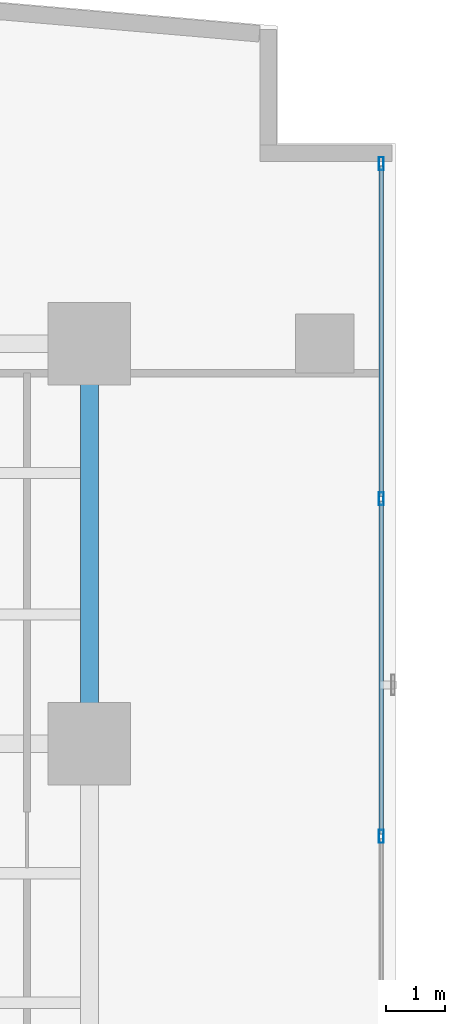
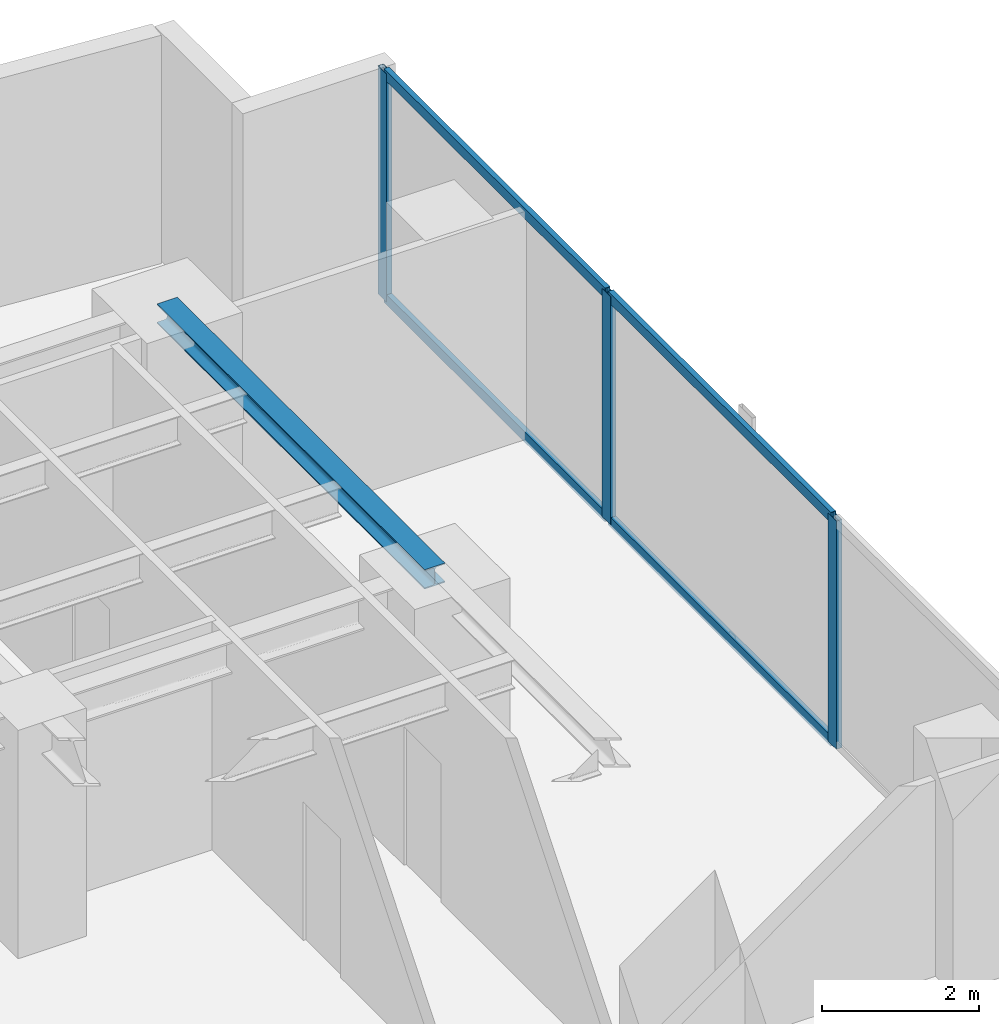
# One storey, part 17 of 24: 7 members, 1 beam, 1 element without a shape of its own.
"""IFC4 building model written with IfcOpenShell, lengths in metres."""

import ifcopenshell
import ifcopenshell.guid

model = None  # the IFC model being written
_history = None  # IfcOwnerHistory: only IFC2X3 demands one
_inside = {}  # id of a spatial element -> (the spatial element, [elements in it])
_under = {}  # id of a project, library or spatial element -> (it, [spatial elements below it])
_declared = {}  # id of a project -> (the project, [libraries it declares])
_typed = {}  # id of a type object -> (the type object, [elements of that type])
_made_of = {}  # id of a material, layer set ... -> (it, [elements and type objects made of it])


def new_model(schema):
    """Start an empty IFC model of exactly this schema.

    Asked for "IFC4X3", IfcOpenShell would pick the latest addendum, in which some entities
    have other attributes; the version numbers below select the first issue.
    IFC2X3 requires an IfcOwnerHistory on every rooted entity: one is made here for all.
    """
    global model, _history
    if schema == "IFC4X3":
        model = ifcopenshell.file(schema_version=(4, 3, 0, 0))
    else:
        model = ifcopenshell.file(schema=schema)
    _inside.clear()
    _under.clear()
    _declared.clear()
    _typed.clear()
    _made_of.clear()
    _history = None
    if model.schema == "IFC2X3":
        org = make("IfcOrganization", Name="unknown")
        user = make(
            "IfcPersonAndOrganization",
            ThePerson=make("IfcPerson", FamilyName="unknown"),
            TheOrganization=org,
        )
        app = make(
            "IfcApplication",
            ApplicationDeveloper=org,
            Version="unknown",
            ApplicationFullName="unknown",
            ApplicationIdentifier="unknown",
        )
        _history = make(
            "IfcOwnerHistory",
            OwningUser=user,
            OwningApplication=app,
            ChangeAction="ADDED",
            CreationDate=0,
        )
    return model


def make(cls, **values):
    """One entity of the class cls with the attributes given. An attribute that is None is left unset."""
    return model.create_entity(
        cls, **{name: value for name, value in values.items() if value is not None}
    )


def rooted(cls, **values):
    """An entity with a GlobalId (a new one), such as an element, a storey or a relation."""
    return make(cls, GlobalId=ifcopenshell.guid.new(), OwnerHistory=_history, **values)


def si_unit(unit_type, name, prefix=None):
    """IfcSIUnit, for example si_unit("LENGTHUNIT", "METRE", prefix="MILLI")."""
    return make("IfcSIUnit", UnitType=unit_type, Prefix=prefix, Name=name)


def assignment(units):
    """IfcUnitAssignment: the units of a project."""
    return None if units is None else make("IfcUnitAssignment", Units=units)


def point(xyz):
    """IfcCartesianPoint."""
    return None if xyz is None else make("IfcCartesianPoint", Coordinates=xyz)


def direction(xyz):
    """IfcDirection."""
    return None if xyz is None else make("IfcDirection", DirectionRatios=xyz)


def frame(location, z_axis=None, x_axis=None):
    """IfcAxis2Placement3D, a coordinate frame: its origin and axes. An axis left out is left unset."""
    return make(
        "IfcAxis2Placement3D",
        Location=point(location),
        Axis=direction(z_axis),
        RefDirection=direction(x_axis),
    )


def frame_2d(location, x_axis=None):
    """IfcAxis2Placement2D, a coordinate frame in the plane: its origin and x axis."""
    return make(
        "IfcAxis2Placement2D", Location=point(location), RefDirection=direction(x_axis)
    )


def origin():
    """The frame at (0, 0, 0) with its axes left unset."""
    return frame((0.0, 0.0, 0.0))


def origin_with_axes():
    """The frame at (0, 0, 0) with the z axis (0, 0, 1) and the x axis (1, 0, 0) written out."""
    return frame((0.0, 0.0, 0.0), z_axis=(0.0, 0.0, 1.0), x_axis=(1.0, 0.0, 0.0))


def origin_2d():
    """The frame at (0, 0) in the plane with its x axis left unset."""
    return frame_2d((0.0, 0.0))


def place(relative_to, where):
    """IfcLocalPlacement: puts the frame where relative to a parent placement (None: the world)."""
    return make(
        "IfcLocalPlacement", PlacementRelTo=relative_to, RelativePlacement=where
    )


def context(
    kind, dimensions, precision=None, world=None, true_north=None, identifier=None
):
    """IfcGeometricRepresentationContext, for example the 3D "Model" context."""
    return make(
        "IfcGeometricRepresentationContext",
        ContextIdentifier=identifier,
        ContextType=kind,
        CoordinateSpaceDimension=dimensions,
        Precision=precision,
        WorldCoordinateSystem=world,
        TrueNorth=true_north,
    )


def subcontext(parent, identifier, kind, view, scale=None):
    """IfcGeometricRepresentationSubContext, for example "Body" below "Model"."""
    return make(
        "IfcGeometricRepresentationSubContext",
        ContextIdentifier=identifier,
        ContextType=kind,
        ParentContext=parent,
        TargetScale=scale,
        TargetView=view,
    )


def project(units=None, contexts=None):
    """IfcProject with its units and contexts."""
    return rooted(
        "IfcProject",
        Name="project",
        RepresentationContexts=contexts,
        UnitsInContext=assignment(units),
    )


def spatial(cls, under=None, at=None, **own):
    """A site, building, storey or space (cls), placed at a placement, below another one or the project."""
    s = rooted(cls, ObjectPlacement=at, **own)
    if under is not None:
        _under.setdefault(under.id(), (under, []))[1].append(s)
    return s


def profile(cls, at=None, kind="AREA", **sizes):
    """A parametric profile (cls). Its sizes go by their IFC names, for example OverallWidth=200.0."""
    return make(cls, ProfileType=kind, Position=at, **sizes)


def hollow_rectangle(**sizes):
    """IfcRectangleHollowProfileDef."""
    return profile("IfcRectangleHollowProfileDef", **sizes)


def i_section(**sizes):
    """IfcIShapeProfileDef."""
    return profile("IfcIShapeProfileDef", **sizes)


def extrude(swept, where, along, depth):
    """IfcExtrudedAreaSolid: the profile swept, set in the frame where, extruded along a direction by depth."""
    return make(
        "IfcExtrudedAreaSolid",
        SweptArea=swept,
        Position=where,
        ExtrudedDirection=direction(along),
        Depth=depth,
    )


def shape(context_of_items, identifier, shape_type, items):
    """IfcShapeRepresentation: the items that make up one representation, for example the "Body"."""
    return make(
        "IfcShapeRepresentation",
        ContextOfItems=context_of_items,
        RepresentationIdentifier=identifier,
        RepresentationType=shape_type,
        Items=items,
    )


def source(mapping_origin, context_of_items, identifier, shape_type, items):
    """IfcRepresentationMap: a shape defined once, which mapped items show again and again."""
    return make(
        "IfcRepresentationMap",
        MappingOrigin=mapping_origin,
        MappedRepresentation=shape(context_of_items, identifier, shape_type, items),
    )


def transform(
    local_origin,
    x_axis=None,
    y_axis=None,
    z_axis=None,
    scale=None,
    scale2=None,
    scale3=None,
    uniform=True,
):
    """IfcCartesianTransformationOperator3D, or its non-uniform kind. x_axis, y_axis, z_axis: its Axis1, 2, 3."""
    if uniform:
        return make(
            "IfcCartesianTransformationOperator3D",
            Axis1=direction(x_axis),
            Axis2=direction(y_axis),
            LocalOrigin=point(local_origin),
            Scale=scale,
            Axis3=direction(z_axis),
        )
    return make(
        "IfcCartesianTransformationOperator3DnonUniform",
        Axis1=direction(x_axis),
        Axis2=direction(y_axis),
        LocalOrigin=point(local_origin),
        Scale=scale,
        Axis3=direction(z_axis),
        Scale2=scale2,
        Scale3=scale3,
    )


def mapped(mapping_source, mapping_target):
    """IfcMappedItem: shows the shape of a source again, moved by a transform."""
    return make(
        "IfcMappedItem", MappingSource=mapping_source, MappingTarget=mapping_target
    )


def material(Name=None, Category=None):
    """IfcMaterial."""
    return make("IfcMaterial", Name=Name, Category=Category)


def layer(
    of_material, thickness, ventilated=None, Name=None, Category=None, Priority=None
):
    """IfcMaterialLayer: one layer of a wall or slab, of a material (None: an air gap)."""
    return make(
        "IfcMaterialLayer",
        Material=of_material,
        LayerThickness=thickness,
        IsVentilated=ventilated,
        Name=Name,
        Category=Category,
        Priority=Priority,
    )


def layer_set(layers, Name=None):
    """IfcMaterialLayerSet."""
    return make("IfcMaterialLayerSet", MaterialLayers=layers, LayerSetName=Name)


def material_profile(
    of_material, cross_section, Name=None, Category=None, Priority=None
):
    """IfcMaterialProfile: a cross section and its material."""
    return make(
        "IfcMaterialProfile",
        Name=Name,
        Material=of_material,
        Profile=cross_section,
        Priority=Priority,
        Category=Category,
    )


def profile_set(profiles, Name=None, composite=None):
    """IfcMaterialProfileSet."""
    return make(
        "IfcMaterialProfileSet",
        Name=Name,
        MaterialProfiles=profiles,
        CompositeProfile=composite,
    )


def made_of(thing, what):
    """Note that an element or type object is made of a material, layer set ...; save() writes the relation."""
    if what is not None:
        _made_of.setdefault(what.id(), (what, []))[1].append(thing)
    return thing


def type_object(cls, material=None, **own):
    """A type object (cls), such as IfcWallType, which elements share."""
    return made_of(rooted(cls, **own), material)


def element(
    cls,
    number,
    at=None,
    inside=None,
    cuts=None,
    type_object=None,
    material=None,
    context=None,
    identifier="Body",
    shape_type=None,
    held_by="IfcProductDefinitionShape",
    body=None,
    shapes=None,
    **own,
):
    """One element of the class cls, such as IfcWall. Its Tag is "e" and its number.

    at: its placement. inside: the storey or other place that contains it. cuts: it is an
    opening in that element (IfcRelVoidsElement). A single representation is given by context,
    identifier, shape_type and body (its items); several are given by shapes. held_by: the class
    of the entity that holds the representations. save() writes the other relations.
    """
    e = rooted(cls, Tag="e%d" % number, ObjectPlacement=at, **own)
    if body is not None:
        shapes = [shape(context, identifier, shape_type, body)]
    if shapes is not None:
        e.Representation = make(held_by, Representations=shapes)
    if inside is not None:
        _inside.setdefault(inside.id(), (inside, []))[1].append(e)
    if cuts is not None:
        rooted(
            "IfcRelVoidsElement", RelatingBuildingElement=cuts, RelatedOpeningElement=e
        )
    if type_object is not None:
        _typed.setdefault(type_object.id(), (type_object, []))[1].append(e)
    return made_of(e, material)


def aggregate(whole, parts):
    """IfcRelAggregates: a whole, such as a stair, and the parts it consists of."""
    return rooted("IfcRelAggregates", RelatingObject=whole, RelatedObjects=parts)


def save(model, path):
    """Write the relations noted so far, then the file.

    IfcRelAggregates (storeys below a building ...), IfcRelContainedInSpatialStructure (elements
    in a storey), IfcRelDefinesByType, IfcRelAssociatesMaterial and IfcRelDeclares: one each for
    every whole, place, type object, material and project.
    """
    for whole, parts in _under.values():
        aggregate(whole, parts)
    for where, things in _inside.values():
        rooted(
            "IfcRelContainedInSpatialStructure",
            RelatedElements=things,
            RelatingStructure=where,
        )
    for kind, things in _typed.values():
        rooted("IfcRelDefinesByType", RelatedObjects=things, RelatingType=kind)
    for what, things in _made_of.values():
        rooted("IfcRelAssociatesMaterial", RelatedObjects=things, RelatingMaterial=what)
    for by, libraries in _declared.values():
        rooted("IfcRelDeclares", RelatingContext=by, RelatedDefinitions=libraries)
    model.write(path)


model = new_model("IFC4")

# Units and contexts
model_context = context("Model", 3, precision=1e-05, world=origin(), true_north=direction((0.0, 1.0)))
body_context = subcontext(model_context, "Body", "Model", "MODEL_VIEW")
ifc_project = project(units=[si_unit("LENGTHUNIT", "METRE"), si_unit("AREAUNIT", "SQUARE_METRE"), si_unit("VOLUMEUNIT", "CUBIC_METRE"), si_unit("PLANEANGLEUNIT", "RADIAN"), si_unit("MASSUNIT", "GRAM", prefix="KILO")], contexts=[model_context])

# Site, building, storey
site_placement = place(None, origin())
site = spatial("IfcSite", under=ifc_project, at=site_placement, CompositionType="ELEMENT")
building_placement = place(site_placement, origin())
building = spatial("IfcBuilding", under=site, at=building_placement, Name="Kolvaren Waterfront Exchange", CompositionType="ELEMENT")
storey_placement = place(building_placement, frame((0.0, 0.0, 91.699951171875)))
storey = spatial("IfcBuildingStorey", under=building, at=storey_placement, Name="L23", CompositionType="ELEMENT", Elevation=91.699951171875)

# Beam
ifc_material_1 = material(Name="Steel S355", Category="steel")
ifc_material_profile_1 = material_profile(ifc_material_1, i_section(OverallWidth=0.300048828125, OverallDepth=0.300048828125, WebThickness=0.010986328125, FlangeThickness=0.01904296875, FilletRadius=0.027099609375, at=origin_2d()), Name="HEB300")
ifc_profile_set_1 = profile_set([ifc_material_profile_1], Name="Steel S355")
beam_type = type_object("IfcBeamType", Name="STR-BM-HEB300", PredefinedType="SPANDREL", material=ifc_profile_set_1)
beam_placement = place(storey_placement, frame((18.800048828125, 37.800048828125, 3.39013671875), z_axis=(0.0, 1.0, 0.0), x_axis=(-1.0, 0.0, 0.0)))
element("IfcBeam", 1, at=beam_placement, inside=storey, type_object=beam_type, Name="L23 north-arm edge beam 3", PredefinedType="SPANDREL", context=body_context, shape_type="SweptSolid", body=[
    extrude(i_section(OverallWidth=0.300048828125, OverallDepth=0.300048828125, WebThickness=0.010986328125, FlangeThickness=0.01904296875, FilletRadius=0.027099609375, at=origin_2d()), origin(), (0.0, 0.0, 1.0), 6.800048828125),
])

# Curtain wall, members
ifc_material_2 = material(Name="Anodised bronze aluminium 6063-T6", Category="aluminium")
ifc_layer = layer(ifc_material_2, 0.219970703125, Name="Anodised bronze aluminium 6063-T6")
ifc_layer_set = layer_set([ifc_layer], Name="Anodised bronze aluminium 6063-T6")
curtain_wall_type = type_object("IfcCurtainWallType", Name="ARC-CW-SYS1", PredefinedType="USERDEFINED", material=ifc_layer_set)
curtain_wall_placement = place(storey_placement, origin())
curtain_wall = element("IfcCurtainWall", 2, at=curtain_wall_placement, inside=storey, type_object=curtain_wall_type, Name="L23 stick curtain wall CW1 (CW-L23-NE)", ObjectType="STICK CURTAIN WALL", PredefinedType="USERDEFINED")
ifc_material_3 = material(Name="Anodised aluminium 6063-T6", Category="aluminium")
ifc_material_profile_2 = material_profile(ifc_material_3, hollow_rectangle(XDim=0.080078125, YDim=0.219970703125, WallThickness=0.0048828125, at=origin_2d()), Name="ALU-MUL-220x80x5")
ifc_profile_set_2 = profile_set([ifc_material_profile_2], Name="Anodised aluminium 6063-T6")
member_type_1 = type_object("IfcMemberType", Name="ARC-CWM-220", PredefinedType="MULLION", material=ifc_profile_set_2)
shared_shape_1 = source(origin_with_axes(), body_context, "Body", "SweptSolid", [
    extrude(hollow_rectangle(XDim=0.080078125, YDim=0.219970703125, WallThickness=0.0048828125, at=origin_2d()), origin(), (0.0, 0.0, 1.0), 3.5400390625),
])
member_1_placement = place(storey_placement, frame((23.760009765625, 36.2265625, 0.0), z_axis=(0.0, 0.0, 1.0), x_axis=(-1.0, 0.0, 0.0)))
member_1 = element("IfcMember", 3, at=member_1_placement, type_object=member_type_1, Name="CW1 mullion 2", PredefinedType="MULLION", context=body_context, shape_type="MappedRepresentation", body=[
    mapped(shared_shape_1, transform((0.0, 0.0, 0.0), x_axis=(1.0, 0.0, 0.0), y_axis=(0.0, 1.0, 0.0), z_axis=(0.0, 0.0, 1.0), scale=1.0)),
])
member_2_placement = place(storey_placement, frame((23.760009765625, 41.96337890625, 0.0), z_axis=(0.0, 0.0, 1.0), x_axis=(-1.0, 0.0, 0.0)))
member_2 = element("IfcMember", 4, at=member_2_placement, type_object=member_type_1, Name="CW1 mullion 3", PredefinedType="MULLION", context=body_context, shape_type="MappedRepresentation", body=[
    mapped(shared_shape_1, transform((0.0, 0.0, 0.0), x_axis=(1.0, 0.0, 0.0), y_axis=(0.0, 1.0, 0.0), z_axis=(0.0, 0.0, 1.0), scale=1.0)),
])
member_3_placement = place(storey_placement, frame((23.760009765625, 47.659912109375, 0.0), z_axis=(0.0, 0.0, 1.0), x_axis=(-1.0, 0.0, 0.0)))
member_3 = element("IfcMember", 5, at=member_3_placement, type_object=member_type_1, Name="CW1 mullion 4", PredefinedType="MULLION", context=body_context, shape_type="MappedRepresentation", body=[
    mapped(shared_shape_1, transform((0.0, 0.0, 0.0), x_axis=(1.0, 0.0, 0.0), y_axis=(0.0, 1.0, 0.0), z_axis=(0.0, 0.0, 1.0), scale=1.0)),
])
ifc_material_profile_3 = material_profile(ifc_material_3, hollow_rectangle(XDim=0.074951171875, YDim=0.159912109375, WallThickness=0.00439453125, at=origin_2d()), Name="ALU-TRN-160x75x4.5")
ifc_profile_set_3 = profile_set([ifc_material_profile_3], Name="Anodised aluminium 6063-T6")
member_type_2 = type_object("IfcMemberType", Name="ARC-CWT-160", PredefinedType="USERDEFINED", material=ifc_profile_set_3)
shared_shape_2 = source(origin_with_axes(), body_context, "Body", "SweptSolid", [
    extrude(hollow_rectangle(XDim=0.074951171875, YDim=0.159912109375, WallThickness=0.00439453125, at=origin_2d()), origin(), (0.0, 0.0, 1.0), 5.61669921875),
])
member_4_placement = place(storey_placement, frame((23.760009765625, 42.00341796875, 0.03759765625), z_axis=(0.0, 1.0, 0.0), x_axis=(-1.0, 0.0, 0.0)))
member_4 = element("IfcMember", 6, at=member_4_placement, type_object=member_type_2, Name="CW1 transom 3.1", ObjectType="TRANSOM", PredefinedType="USERDEFINED", context=body_context, shape_type="MappedRepresentation", body=[
    mapped(shared_shape_2, transform((0.0, 0.0, 0.0), x_axis=(1.0, 0.0, 0.0), y_axis=(0.0, 1.0, 0.0), z_axis=(0.0, 0.0, 1.0), scale=1.0)),
])
member_5_placement = place(storey_placement, frame((23.760009765625, 42.00341796875, 3.50244140625), z_axis=(0.0, 1.0, 0.0), x_axis=(-1.0, 0.0, 0.0)))
member_5 = element("IfcMember", 7, at=member_5_placement, type_object=member_type_2, Name="CW1 transom 3.2", ObjectType="TRANSOM", PredefinedType="USERDEFINED", context=body_context, shape_type="MappedRepresentation", body=[
    mapped(shared_shape_2, transform((0.0, 0.0, 0.0), x_axis=(1.0, 0.0, 0.0), y_axis=(0.0, 1.0, 0.0), z_axis=(0.0, 0.0, 1.0), scale=1.0)),
])
shared_shape_3 = source(origin_with_axes(), body_context, "Body", "SweptSolid", [
    extrude(hollow_rectangle(XDim=0.074951171875, YDim=0.159912109375, WallThickness=0.00439453125, at=origin_2d()), origin(), (0.0, 0.0, 1.0), 5.65673828125),
])
member_6_placement = place(storey_placement, frame((23.760009765625, 36.2666015625, 0.03759765625), z_axis=(0.0, 1.0, 0.0), x_axis=(-1.0, 0.0, 0.0)))
member_6 = element("IfcMember", 8, at=member_6_placement, type_object=member_type_2, Name="CW1 transom 2.1", ObjectType="TRANSOM", PredefinedType="USERDEFINED", context=body_context, shape_type="MappedRepresentation", body=[
    mapped(shared_shape_3, transform((0.0, 0.0, 0.0), x_axis=(1.0, 0.0, 0.0), y_axis=(0.0, 1.0, 0.0), z_axis=(0.0, 0.0, 1.0), scale=1.0)),
])
member_7_placement = place(storey_placement, frame((23.760009765625, 36.2666015625, 3.50244140625), z_axis=(0.0, 1.0, 0.0), x_axis=(-1.0, 0.0, 0.0)))
member_7 = element("IfcMember", 9, at=member_7_placement, type_object=member_type_2, Name="CW1 transom 2.2", ObjectType="TRANSOM", PredefinedType="USERDEFINED", context=body_context, shape_type="MappedRepresentation", body=[
    mapped(shared_shape_3, transform((0.0, 0.0, 0.0), x_axis=(1.0, 0.0, 0.0), y_axis=(0.0, 1.0, 0.0), z_axis=(0.0, 0.0, 1.0), scale=1.0)),
])
aggregate(curtain_wall, [member_1, member_2, member_3, member_6, member_7, member_4, member_5])

save(model, "model.ifc")
